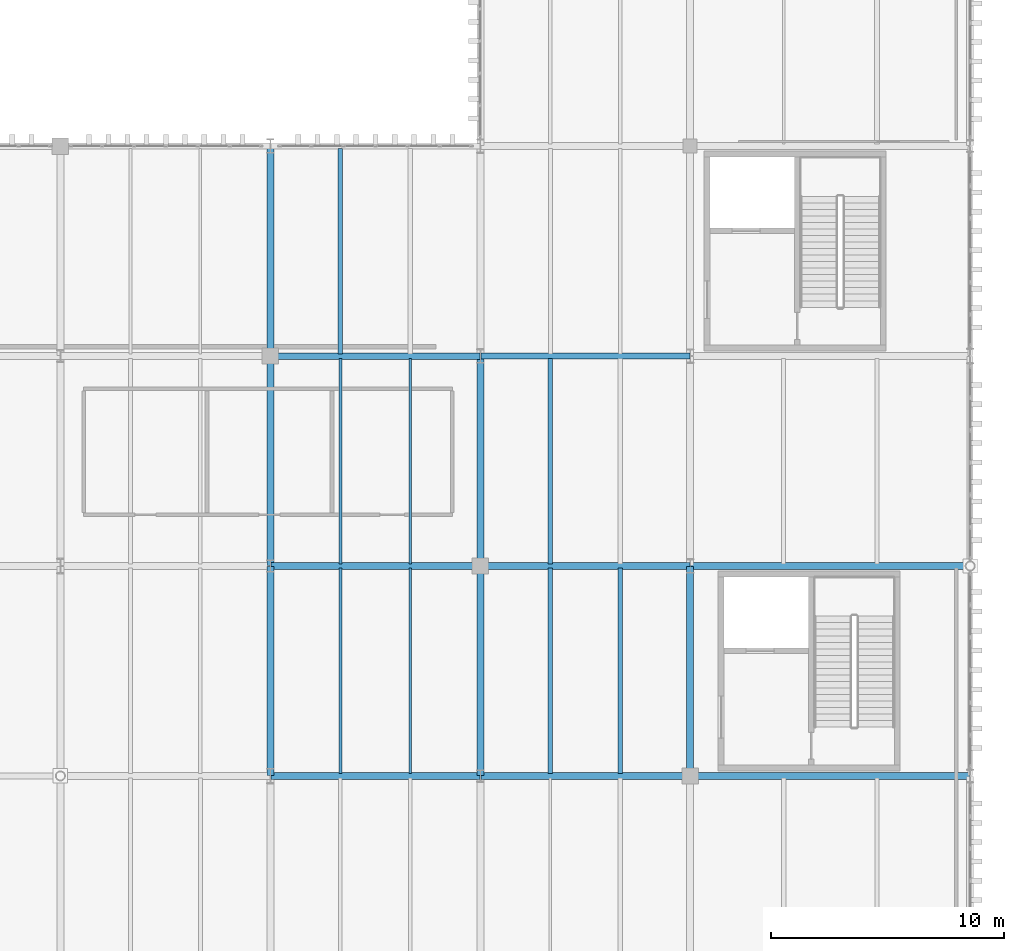
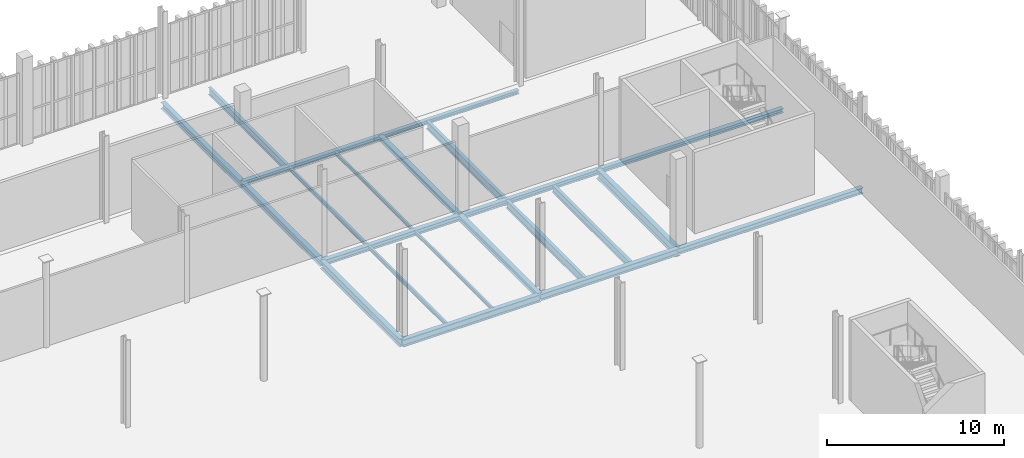
# One storey, part 125 of 237: 22 beams.
"""IFC4 building model written with IfcOpenShell, lengths in metres."""

from ifc_helpers import new_model, si_unit, direction, frame, origin, origin_2d, place, context, subcontext, project, spatial, i_section, extrude, material, material_profile, profile_set, type_object, element, save


model = new_model("IFC4")

# Units and contexts
model_context = context("Model", 3, precision=1e-05, world=origin(), true_north=direction((0.0, 1.0)))
body_context = subcontext(model_context, "Body", "Model", "MODEL_VIEW")
ifc_project = project(units=[si_unit("LENGTHUNIT", "METRE"), si_unit("AREAUNIT", "SQUARE_METRE"), si_unit("VOLUMEUNIT", "CUBIC_METRE"), si_unit("PLANEANGLEUNIT", "RADIAN"), si_unit("MASSUNIT", "GRAM", prefix="KILO")], contexts=[model_context])

# Site, building, storey
site_placement = place(None, origin())
site = spatial("IfcSite", under=ifc_project, at=site_placement, CompositionType="ELEMENT")
building_placement = place(site_placement, origin())
building = spatial("IfcBuilding", under=site, at=building_placement, Name="Barlavento Convention Centre", CompositionType="ELEMENT")
storey_placement = place(building_placement, frame((0.0, 0.0, 12.0)))
storey = spatial("IfcBuildingStorey", under=building, at=storey_placement, Name="L02", CompositionType="ELEMENT", Elevation=12.0)

# Beams
ifc_material = material(Name="Steel S355", Category="steel")
ifc_material_profile_1 = material_profile(ifc_material, i_section(OverallWidth=0.1201171875, OverallDepth=0.239990234375, WebThickness=0.006103515625, FlangeThickness=0.009765625, FilletRadius=0.014892578125, at=origin_2d()), Name="IPE 240")
ifc_profile_set_1 = profile_set([ifc_material_profile_1], Name="Steel S355")
beam_type_1 = type_object("IfcBeamType", Name="STR-BM-JST-IPE240", PredefinedType="JOIST", material=ifc_profile_set_1)
for number, where, z_axis, x_axis, name in (
    (1, (168.0, 36.094970703125, -0.489990234375), (0.0, 1.0, 0.0), (-1.0, 0.0, 0.0), "L02 composite floor joist SJ09"),
    (2, (168.0, 45.094970703125, -0.489990234375), (0.0, 1.0, 0.0), (-1.0, 0.0, 0.0), "L02 composite floor joist SJ09"),
):
    element("IfcBeam", number, at=place(storey_placement, frame(where, z_axis=z_axis, x_axis=x_axis)), inside=storey, type_object=beam_type_1, Name=name, PredefinedType="JOIST", context=body_context, shape_type="SweptSolid", body=[
        extrude(i_section(OverallWidth=0.1201171875, OverallDepth=0.239990234375, WebThickness=0.006103515625, FlangeThickness=0.009765625, FilletRadius=0.014892578125, at=origin_2d()), origin(), (0.0, 0.0, 1.0), 8.81005859375),
    ])
ifc_material_profile_2 = material_profile(ifc_material, i_section(OverallWidth=0.135009765625, OverallDepth=0.27001953125, WebThickness=0.006591796875, FlangeThickness=0.01025390625, FilletRadius=0.014892578125, at=origin_2d()), Name="IPE 270")
ifc_profile_set_2 = profile_set([ifc_material_profile_2], Name="Steel S355")
beam_type_2 = type_object("IfcBeamType", Name="STR-BM-JST-IPE270", PredefinedType="JOIST", material=ifc_profile_set_2)
for number, where, z_axis, x_axis, name in (
    (3, (165.0, 36.094970703125, -0.5048828125), (0.0, 1.0, 0.0), (-1.0, 0.0, 0.0), "L02 composite floor joist SJ08"),
    (4, (165.0, 45.094970703125, -0.5048828125), (0.0, 1.0, 0.0), (-1.0, 0.0, 0.0), "L02 composite floor joist SJ08"),
):
    element("IfcBeam", number, at=place(storey_placement, frame(where, z_axis=z_axis, x_axis=x_axis)), inside=storey, type_object=beam_type_2, Name=name, PredefinedType="JOIST", context=body_context, shape_type="SweptSolid", body=[
        extrude(i_section(OverallWidth=0.135009765625, OverallDepth=0.27001953125, WebThickness=0.006591796875, FlangeThickness=0.01025390625, FilletRadius=0.014892578125, at=origin_2d()), origin(), (0.0, 0.0, 1.0), 8.81005859375),
    ])
ifc_material_profile_3 = material_profile(ifc_material, i_section(OverallWidth=0.199951171875, OverallDepth=0.5, WebThickness=0.01025390625, FlangeThickness=0.01611328125, FilletRadius=0.02099609375, at=origin_2d()), Name="IPE 500")
ifc_profile_set_3 = profile_set([ifc_material_profile_3], Name="Steel S355")
beam_type_3 = type_object("IfcBeamType", Name="STR-BM-JST-IPE500", PredefinedType="JOIST", material=ifc_profile_set_3)
for number, where, z_axis, x_axis, name in (
    (5, (177.0, 36.094970703125, -0.6201171875), (0.0, 1.0, 0.0), (-1.0, 0.0, 0.0), "L02 composite floor joist SJ02"),
    (6, (165.0, 54.094970703125, -0.6201171875), (0.0, 1.0, 0.0), (-1.0, 0.0, 0.0), "L02 composite floor joist SJ02"),
):
    element("IfcBeam", number, at=place(storey_placement, frame(where, z_axis=z_axis, x_axis=x_axis)), inside=storey, type_object=beam_type_3, Name=name, PredefinedType="JOIST", context=body_context, shape_type="SweptSolid", body=[
        extrude(i_section(OverallWidth=0.199951171875, OverallDepth=0.5, WebThickness=0.01025390625, FlangeThickness=0.01611328125, FilletRadius=0.02099609375, at=origin_2d()), origin(), (0.0, 0.0, 1.0), 8.81005859375),
    ])
ifc_material_profile_4 = material_profile(ifc_material, i_section(OverallWidth=0.2099609375, OverallDepth=0.550048828125, WebThickness=0.010986328125, FlangeThickness=0.01708984375, FilletRadius=0.02392578125, at=origin_2d()), Name="IPE 550")
ifc_profile_set_4 = profile_set([ifc_material_profile_4], Name="Steel S355")
beam_type_4 = type_object("IfcBeamType", Name="STR-BM-JST-IPE550", PredefinedType="JOIST", material=ifc_profile_set_4)
for number, where, z_axis, x_axis, name in (
    (7, (174.0, 36.094970703125, -0.64501953125), (0.0, 1.0, 0.0), (-1.0, 0.0, 0.0), "L02 composite floor joist SJ01"),
    (8, (174.0, 45.094970703125, -0.64501953125), (0.0, 1.0, 0.0), (-1.0, 0.0, 0.0), "L02 composite floor joist SJ01"),
):
    element("IfcBeam", number, at=place(storey_placement, frame(where, z_axis=z_axis, x_axis=x_axis)), inside=storey, type_object=beam_type_4, Name=name, PredefinedType="JOIST", context=body_context, shape_type="SweptSolid", body=[
        extrude(i_section(OverallWidth=0.2099609375, OverallDepth=0.550048828125, WebThickness=0.010986328125, FlangeThickness=0.01708984375, FilletRadius=0.02392578125, at=origin_2d()), origin(), (0.0, 0.0, 1.0), 8.81005859375),
    ])
ifc_material_profile_5 = material_profile(ifc_material, i_section(OverallWidth=0.300048828125, OverallDepth=0.330078125, WebThickness=0.009521484375, FlangeThickness=0.0166015625, FilletRadius=0.027099609375, at=origin_2d()), Name="HEA 340")
ifc_profile_set_5 = profile_set([ifc_material_profile_5], Name="Steel S355")
beam_type_5 = type_object("IfcBeamType", Name="STR-BM-PRI-HEA340", PredefinedType="BEAM", material=ifc_profile_set_5)
beam_1_placement = place(storey_placement, frame((171.0, 45.02001953125, -0.534912109375), z_axis=(0.0, 1.0, 0.0), x_axis=(-1.0, 0.0, 0.0)))
element("IfcBeam", 9, at=beam_1_placement, inside=storey, type_object=beam_type_5, Name="L02 grid girder BG24", PredefinedType="BEAM", context=body_context, shape_type="SweptSolid", body=[
    extrude(i_section(OverallWidth=0.300048828125, OverallDepth=0.330078125, WebThickness=0.009521484375, FlangeThickness=0.0166015625, FilletRadius=0.027099609375, at=origin_2d()), origin(), (0.0, 0.0, 1.0), 8.9599609375),
])
ifc_material_profile_6 = material_profile(ifc_material, i_section(OverallWidth=0.300048828125, OverallDepth=0.389892578125, WebThickness=0.010986328125, FlangeThickness=0.01904296875, FilletRadius=0.027099609375, at=origin_2d()), Name="HEA 400")
ifc_profile_set_6 = profile_set([ifc_material_profile_6], Name="Steel S355")
beam_type_6 = type_object("IfcBeamType", Name="STR-BM-PRI-HEA400", PredefinedType="BEAM", material=ifc_profile_set_6)
beam_2_placement = place(storey_placement, frame((171.0, 36.02001953125, -0.56494140625), z_axis=(0.0, 1.0, 0.0), x_axis=(-1.0, 0.0, 0.0)))
element("IfcBeam", 10, at=beam_2_placement, inside=storey, type_object=beam_type_6, Name="L02 grid girder BG22", PredefinedType="BEAM", context=body_context, shape_type="SweptSolid", body=[
    extrude(i_section(OverallWidth=0.300048828125, OverallDepth=0.389892578125, WebThickness=0.010986328125, FlangeThickness=0.01904296875, FilletRadius=0.027099609375, at=origin_2d()), origin(), (0.0, 0.0, 1.0), 8.9599609375),
])
ifc_material_profile_7 = material_profile(ifc_material, i_section(OverallWidth=0.300048828125, OverallDepth=0.43994140625, WebThickness=0.011474609375, FlangeThickness=0.02099609375, FilletRadius=0.027099609375, at=origin_2d()), Name="HEA 450")
ifc_profile_set_7 = profile_set([ifc_material_profile_7], Name="Steel S355")
beam_type_7 = type_object("IfcBeamType", Name="STR-BM-PRI-HEA450", PredefinedType="BEAM", material=ifc_profile_set_7)
for number, where, z_axis, x_axis, name in (
    (11, (162.0, 45.02001953125, -0.590087890625), (0.0, 1.0, 0.0), (-1.0, 0.0, 0.0), "L02 grid girder BG21"),
    (12, (162.0, 54.02001953125, -0.590087890625), (0.0, 1.0, 0.0), (-1.0, 0.0, 0.0), "L02 grid girder BG21"),
):
    element("IfcBeam", number, at=place(storey_placement, frame(where, z_axis=z_axis, x_axis=x_axis)), inside=storey, type_object=beam_type_7, Name=name, PredefinedType="BEAM", context=body_context, shape_type="SweptSolid", body=[
        extrude(i_section(OverallWidth=0.300048828125, OverallDepth=0.43994140625, WebThickness=0.011474609375, FlangeThickness=0.02099609375, FilletRadius=0.027099609375, at=origin_2d()), origin(), (0.0, 0.0, 1.0), 8.9599609375),
    ])
ifc_material_profile_8 = material_profile(ifc_material, i_section(OverallWidth=0.300048828125, OverallDepth=0.5400390625, WebThickness=0.012451171875, FlangeThickness=0.02392578125, FilletRadius=0.027099609375, at=origin_2d()), Name="HEA 550")
ifc_profile_set_8 = profile_set([ifc_material_profile_8], Name="Steel S355")
beam_type_8 = type_object("IfcBeamType", Name="STR-BM-PRI-HEA550", PredefinedType="BEAM", material=ifc_profile_set_8)
beam_3_placement = place(storey_placement, frame((162.0, 36.02001953125, -0.639892578125), z_axis=(0.0, 1.0, 0.0), x_axis=(-1.0, 0.0, 0.0)))
element("IfcBeam", 13, at=beam_3_placement, inside=storey, type_object=beam_type_8, Name="L02 grid girder BG19", PredefinedType="BEAM", context=body_context, shape_type="SweptSolid", body=[
    extrude(i_section(OverallWidth=0.300048828125, OverallDepth=0.5400390625, WebThickness=0.012451171875, FlangeThickness=0.02392578125, FilletRadius=0.027099609375, at=origin_2d()), origin(), (0.0, 0.0, 1.0), 8.9599609375),
])
ifc_material_profile_9 = material_profile(ifc_material, i_section(OverallWidth=0.300048828125, OverallDepth=0.639892578125, WebThickness=0.013427734375, FlangeThickness=0.02587890625, FilletRadius=0.027099609375, at=origin_2d()), Name="HEA 650")
ifc_profile_set_9 = profile_set([ifc_material_profile_9], Name="Steel S355")
beam_type_9 = type_object("IfcBeamType", Name="STR-BM-PRI-HEA650", PredefinedType="BEAM", material=ifc_profile_set_9)
beam_4_placement = place(storey_placement, frame((180.0, 36.02001953125, -0.68994140625), z_axis=(0.0, 1.0, 0.0), x_axis=(-1.0, 0.0, 0.0)))
element("IfcBeam", 14, at=beam_4_placement, inside=storey, type_object=beam_type_9, Name="L02 grid girder BG17", PredefinedType="BEAM", context=body_context, shape_type="SweptSolid", body=[
    extrude(i_section(OverallWidth=0.300048828125, OverallDepth=0.639892578125, WebThickness=0.013427734375, FlangeThickness=0.02587890625, FilletRadius=0.027099609375, at=origin_2d()), origin(), (0.0, 0.0, 1.0), 8.9599609375),
])
ifc_material_profile_10 = material_profile(ifc_material, i_section(OverallWidth=0.260009765625, OverallDepth=0.260009765625, WebThickness=0.010009765625, FlangeThickness=0.017578125, FilletRadius=0.02392578125, at=origin_2d()), Name="HEB 260")
ifc_profile_set_10 = profile_set([ifc_material_profile_10], Name="Steel S355")
beam_type_10 = type_object("IfcBeamType", Name="STR-BM-PRI-HEB260", PredefinedType="BEAM", material=ifc_profile_set_10)
beam_5_placement = place(storey_placement, frame((171.02001953125, 54.0, -0.5), z_axis=(1.0, 0.0, 0.0), x_axis=(0.0, 1.0, 0.0)))
element("IfcBeam", 15, at=beam_5_placement, inside=storey, type_object=beam_type_10, Name="L02 primary girder BG16", PredefinedType="BEAM", context=body_context, shape_type="SweptSolid", body=[
    extrude(i_section(OverallWidth=0.260009765625, OverallDepth=0.260009765625, WebThickness=0.010009765625, FlangeThickness=0.017578125, FilletRadius=0.02392578125, at=origin_2d()), origin(), (0.0, 0.0, 1.0), 8.9599609375),
])
ifc_material_profile_11 = material_profile(ifc_material, i_section(OverallWidth=0.280029296875, OverallDepth=0.280029296875, WebThickness=0.010498046875, FlangeThickness=0.01806640625, FilletRadius=0.02392578125, at=origin_2d()), Name="HEB 280")
ifc_profile_set_11 = profile_set([ifc_material_profile_11], Name="Steel S355")
beam_type_11 = type_object("IfcBeamType", Name="STR-BM-PRI-HEB280", PredefinedType="BEAM", material=ifc_profile_set_11)
beam_6_placement = place(storey_placement, frame((162.02001953125, 54.0, -0.510009765625), z_axis=(1.0, 0.0, 0.0), x_axis=(0.0, 1.0, 0.0)))
element("IfcBeam", 16, at=beam_6_placement, inside=storey, type_object=beam_type_11, Name="L02 primary girder BG15", PredefinedType="BEAM", context=body_context, shape_type="SweptSolid", body=[
    extrude(i_section(OverallWidth=0.280029296875, OverallDepth=0.280029296875, WebThickness=0.010498046875, FlangeThickness=0.01806640625, FilletRadius=0.02392578125, at=origin_2d()), origin(), (0.0, 0.0, 1.0), 8.9599609375),
])
ifc_material_profile_12 = material_profile(ifc_material, i_section(OverallWidth=0.300048828125, OverallDepth=0.300048828125, WebThickness=0.010986328125, FlangeThickness=0.01904296875, FilletRadius=0.027099609375, at=origin_2d()), Name="HEB 300")
ifc_profile_set_12 = profile_set([ifc_material_profile_12], Name="Steel S355")
beam_type_12 = type_object("IfcBeamType", Name="STR-BM-PRI-HEB300", PredefinedType="BEAM", material=ifc_profile_set_12)
beam_7_placement = place(storey_placement, frame((180.02001953125, 45.0, -0.52001953125), z_axis=(1.0, 0.0, 0.0), x_axis=(0.0, 1.0, 0.0)))
element("IfcBeam", 17, at=beam_7_placement, inside=storey, type_object=beam_type_12, Name="L02 primary girder BG14", PredefinedType="BEAM", context=body_context, shape_type="SweptSolid", body=[
    extrude(i_section(OverallWidth=0.300048828125, OverallDepth=0.300048828125, WebThickness=0.010986328125, FlangeThickness=0.01904296875, FilletRadius=0.027099609375, at=origin_2d()), origin(), (0.0, 0.0, 1.0), 11.9599609375),
])
ifc_material_profile_13 = material_profile(ifc_material, i_section(OverallWidth=0.300048828125, OverallDepth=0.320068359375, WebThickness=0.011474609375, FlangeThickness=0.0205078125, FilletRadius=0.027099609375, at=origin_2d()), Name="HEB 320")
ifc_profile_set_13 = profile_set([ifc_material_profile_13], Name="Steel S355")
beam_type_13 = type_object("IfcBeamType", Name="STR-BM-PRI-HEB320", PredefinedType="BEAM", material=ifc_profile_set_13)
beam_8_placement = place(storey_placement, frame((171.02001953125, 45.0, -0.530029296875), z_axis=(1.0, 0.0, 0.0), x_axis=(0.0, 1.0, 0.0)))
element("IfcBeam", 18, at=beam_8_placement, inside=storey, type_object=beam_type_13, Name="L02 primary girder BG13", PredefinedType="BEAM", context=body_context, shape_type="SweptSolid", body=[
    extrude(i_section(OverallWidth=0.300048828125, OverallDepth=0.320068359375, WebThickness=0.011474609375, FlangeThickness=0.0205078125, FilletRadius=0.027099609375, at=origin_2d()), origin(), (0.0, 0.0, 1.0), 8.9599609375),
])
ifc_material_profile_14 = material_profile(ifc_material, i_section(OverallWidth=0.300048828125, OverallDepth=0.360107421875, WebThickness=0.012451171875, FlangeThickness=0.0224609375, FilletRadius=0.027099609375, at=origin_2d()), Name="HEB 360")
ifc_profile_set_14 = profile_set([ifc_material_profile_14], Name="Steel S355")
beam_type_14 = type_object("IfcBeamType", Name="STR-BM-PRI-HEB360", PredefinedType="BEAM", material=ifc_profile_set_14)
beam_9_placement = place(storey_placement, frame((162.02001953125, 45.0, -0.550048828125), z_axis=(1.0, 0.0, 0.0), x_axis=(0.0, 1.0, 0.0)))
element("IfcBeam", 19, at=beam_9_placement, inside=storey, type_object=beam_type_14, Name="L02 primary girder BG12", PredefinedType="BEAM", context=body_context, shape_type="SweptSolid", body=[
    extrude(i_section(OverallWidth=0.300048828125, OverallDepth=0.360107421875, WebThickness=0.012451171875, FlangeThickness=0.0224609375, FilletRadius=0.027099609375, at=origin_2d()), origin(), (0.0, 0.0, 1.0), 8.9599609375),
])
ifc_material_profile_15 = material_profile(ifc_material, i_section(OverallWidth=0.300048828125, OverallDepth=0.39990234375, WebThickness=0.013427734375, FlangeThickness=0.02392578125, FilletRadius=0.027099609375, at=origin_2d()), Name="HEB 400")
ifc_profile_set_15 = profile_set([ifc_material_profile_15], Name="Steel S355")
beam_type_15 = type_object("IfcBeamType", Name="STR-BM-PRI-HEB400", PredefinedType="BEAM", material=ifc_profile_set_15)
beam_10_placement = place(storey_placement, frame((180.02001953125, 36.0, -0.570068359375), z_axis=(1.0, 0.0, 0.0), x_axis=(0.0, 1.0, 0.0)))
element("IfcBeam", 20, at=beam_10_placement, inside=storey, type_object=beam_type_15, Name="L02 primary girder BG11", PredefinedType="BEAM", context=body_context, shape_type="SweptSolid", body=[
    extrude(i_section(OverallWidth=0.300048828125, OverallDepth=0.39990234375, WebThickness=0.013427734375, FlangeThickness=0.02392578125, FilletRadius=0.027099609375, at=origin_2d()), origin(), (0.0, 0.0, 1.0), 11.9599609375),
])
ifc_material_profile_16 = material_profile(ifc_material, i_section(OverallWidth=0.300048828125, OverallDepth=0.449951171875, WebThickness=0.013916015625, FlangeThickness=0.02587890625, FilletRadius=0.027099609375, at=origin_2d()), Name="HEB 450")
ifc_profile_set_16 = profile_set([ifc_material_profile_16], Name="Steel S355")
beam_type_16 = type_object("IfcBeamType", Name="STR-BM-PRI-HEB450", PredefinedType="BEAM", material=ifc_profile_set_16)
beam_11_placement = place(storey_placement, frame((171.02001953125, 36.0, -0.594970703125), z_axis=(1.0, 0.0, 0.0), x_axis=(0.0, 1.0, 0.0)))
element("IfcBeam", 21, at=beam_11_placement, inside=storey, type_object=beam_type_16, Name="L02 primary girder BG10", PredefinedType="BEAM", context=body_context, shape_type="SweptSolid", body=[
    extrude(i_section(OverallWidth=0.300048828125, OverallDepth=0.449951171875, WebThickness=0.013916015625, FlangeThickness=0.02587890625, FilletRadius=0.027099609375, at=origin_2d()), origin(), (0.0, 0.0, 1.0), 8.9599609375),
])
ifc_material_profile_17 = material_profile(ifc_material, i_section(OverallWidth=0.300048828125, OverallDepth=0.5, WebThickness=0.014404296875, FlangeThickness=0.028076171875, FilletRadius=0.027099609375, at=origin_2d()), Name="HEB 500")
ifc_profile_set_17 = profile_set([ifc_material_profile_17], Name="Steel S355")
beam_type_17 = type_object("IfcBeamType", Name="STR-BM-PRI-HEB500", PredefinedType="BEAM", material=ifc_profile_set_17)
beam_12_placement = place(storey_placement, frame((162.02001953125, 36.0, -0.6201171875), z_axis=(1.0, 0.0, 0.0), x_axis=(0.0, 1.0, 0.0)))
element("IfcBeam", 22, at=beam_12_placement, inside=storey, type_object=beam_type_17, Name="L02 primary girder BG09", PredefinedType="BEAM", context=body_context, shape_type="SweptSolid", body=[
    extrude(i_section(OverallWidth=0.300048828125, OverallDepth=0.5, WebThickness=0.014404296875, FlangeThickness=0.028076171875, FilletRadius=0.027099609375, at=origin_2d()), origin(), (0.0, 0.0, 1.0), 8.9599609375),
])

save(model, "model.ifc")
